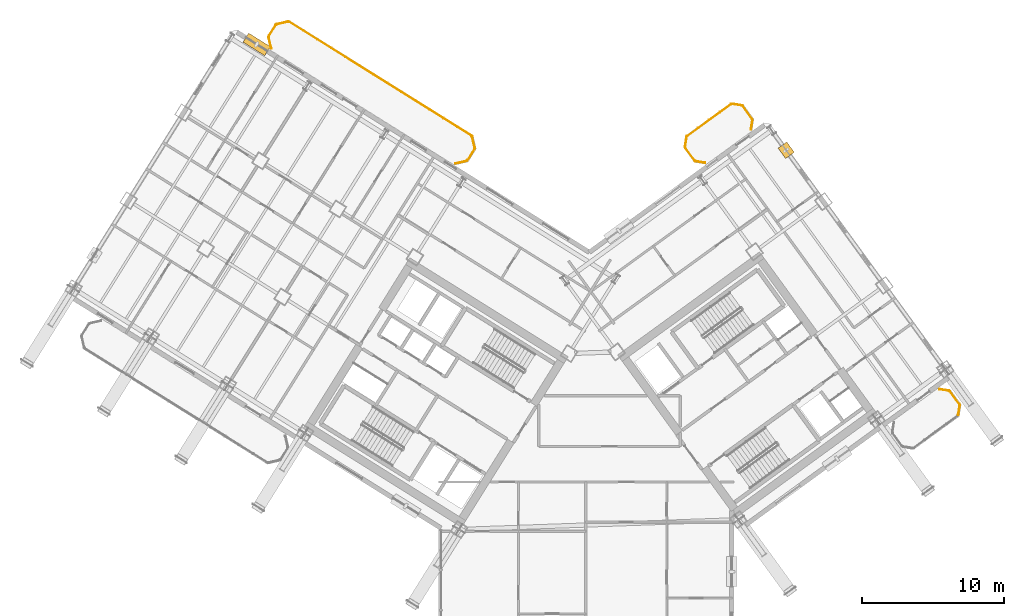
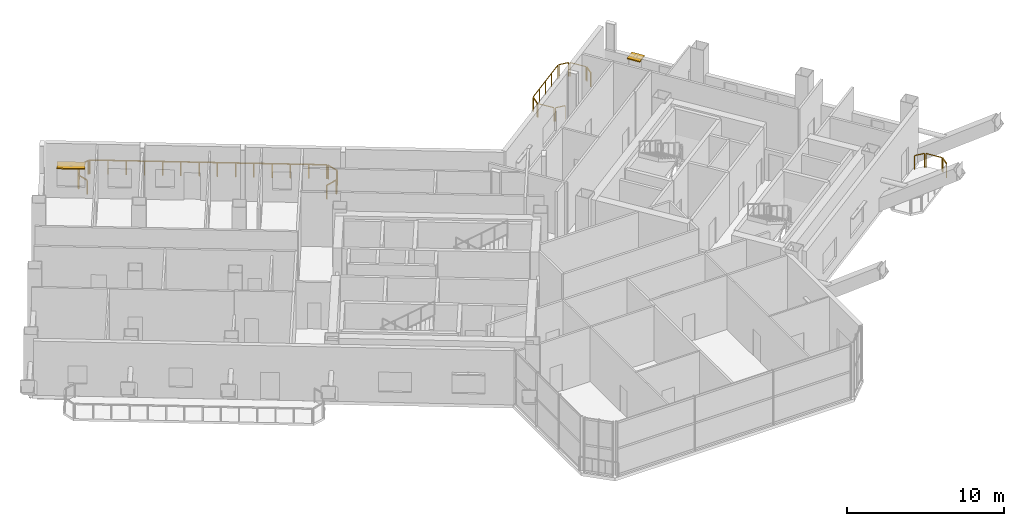
# One storey, part 32 of 32: 17 railings, 2 shading devices.
"""IFC4 building model written with IfcOpenShell, lengths in metres."""

from ifc_helpers import new_model, si_unit, direction, frame, origin, origin_2d, place, context, subcontext, project, spatial, rectangle, extrude, source, transform, mapped, material, layer, layer_set, type_object, element, save


model = new_model("IFC4")

# Units and contexts
model_context = context("Model", 3, precision=1e-05, world=origin(), true_north=direction((0.0, 1.0)))
body_context = subcontext(model_context, "Body", "Model", "MODEL_VIEW")
ifc_project = project(units=[si_unit("LENGTHUNIT", "METRE"), si_unit("AREAUNIT", "SQUARE_METRE"), si_unit("VOLUMEUNIT", "CUBIC_METRE"), si_unit("PLANEANGLEUNIT", "RADIAN"), si_unit("MASSUNIT", "GRAM", prefix="KILO")], contexts=[model_context])

# Site, building, storey
site_placement = place(None, origin())
site = spatial("IfcSite", under=ifc_project, at=site_placement, CompositionType="ELEMENT")
building_placement = place(site_placement, origin())
building = spatial("IfcBuilding", under=site, at=building_placement, Name="Tlacorven Tower", CompositionType="ELEMENT")
storey_placement = place(building_placement, frame((0.0, 0.0, 123.300048828125)))
storey = spatial("IfcBuildingStorey", under=building, at=storey_placement, Name="L31", CompositionType="ELEMENT", Elevation=123.300048828125)

# Railings
ifc_material_1 = material(Name="Aluminium and painted steel balustrade", Category="steel")
railing_type = type_object("IfcRailingType", Name="RL-BAL-1100", PredefinedType="BALUSTRADE", material=ifc_material_1)
shared_shape_1 = source(origin(), body_context, "Body", "SweptSolid", [
    extrude(rectangle(XDim=0.048095703125, YDim=0.048095703125, at=origin_2d()), frame((0.0, 0.0, 1.076171875), z_axis=(0.974345290916, 0.225058334816, 0.0), x_axis=(-0.225058334816, 0.974345290916, 0.0)), (0.0, 0.0, 1.0), 0.80712890625),
    extrude(rectangle(XDim=0.0419921875, YDim=0.0419921875, at=origin_2d()), origin(), (0.0, 0.0, 1.0), 1.052001953125),
    extrude(rectangle(XDim=0.0419921875, YDim=0.0419921875, at=origin_2d()), frame((0.786376953125, 0.181640625, 0.0)), (0.0, 0.0, 1.0), 1.052001953125),
])
railing_1_placement = place(storey_placement, frame((20.2138671875, 47.643798828125, 0.0)))
element("IfcRailing", 1, at=railing_1_placement, inside=storey, type_object=railing_type, Name="BAL-L31-W-IN Guard Railing 6", PredefinedType="BALUSTRADE", context=body_context, shape_type="MappedRepresentation", body=[
    mapped(shared_shape_1, transform((0.0, 0.0, 0.0), scale=1.0)),
])
shared_shape_2 = source(origin(), body_context, "Body", "SweptSolid", [
    extrude(rectangle(XDim=0.048095703125, YDim=0.048095703125, at=origin_2d()), frame((0.0, 0.0, 1.076171875), z_axis=(-0.987661653326, 0.156602868908, 0.0), x_axis=(-0.156602868908, -0.987661653326, 0.0)), (0.0, 0.0, 1.0), 0.665771484375),
    extrude(rectangle(XDim=0.0419921875, YDim=0.0419921875, at=origin_2d()), origin(), (0.0, 0.0, 1.0), 1.052001953125),
    extrude(rectangle(XDim=0.0419921875, YDim=0.0419921875, at=origin_2d()), frame((-0.657470703125, 0.104248046875, 0.0)), (0.0, 0.0, 1.0), 1.052001953125),
])
railing_2_placement = place(storey_placement, frame((50.359130859375, 37.891845703125, 0.0)))
element("IfcRailing", 2, at=railing_2_placement, inside=storey, type_object=railing_type, Name="BAL-L31-E-IN Guard Railing 1", PredefinedType="BALUSTRADE", context=body_context, shape_type="MappedRepresentation", body=[
    mapped(shared_shape_2, transform((0.0, 0.0, 0.0), scale=1.0)),
])
shared_shape_3 = source(origin(), body_context, "Body", "SweptSolid", [
    extrude(rectangle(XDim=0.048095703125, YDim=0.048095703125, at=origin_2d()), frame((0.0, 0.0, 1.076171875), z_axis=(0.156602868908, 0.987661653326, 0.0), x_axis=(-0.987661653326, 0.156602868908, 0.0)), (0.0, 0.0, 1.0), 0.665771484375),
    extrude(rectangle(XDim=0.0419921875, YDim=0.0419921875, at=origin_2d()), origin(), (0.0, 0.0, 1.0), 1.052001953125),
    extrude(rectangle(XDim=0.0419921875, YDim=0.0419921875, at=origin_2d()), frame((0.104248046875, 0.657470703125, 0.0)), (0.0, 0.0, 1.0), 1.052001953125),
])
railing_3_placement = place(storey_placement, frame((48.947509765625, 39.033935546875, 0.0)))
element("IfcRailing", 3, at=railing_3_placement, inside=storey, type_object=railing_type, Name="BAL-L31-E-IN Guard Railing 3", PredefinedType="BALUSTRADE", context=body_context, shape_type="MappedRepresentation", body=[
    mapped(shared_shape_3, transform((0.0, 0.0, 0.0), scale=1.0)),
])
shared_shape_4 = source(origin(), body_context, "Body", "SweptSolid", [
    extrude(rectangle(XDim=0.048095703125, YDim=0.048095703125, at=origin_2d()), frame((0.0, 0.0, 1.076171875), z_axis=(0.58788449985, -0.808944877501, 0.0), x_axis=(0.808944877501, 0.58788449985, 0.0)), (0.0, 0.0, 1.0), 1.112060546875),
    extrude(rectangle(XDim=0.0419921875, YDim=0.0419921875, at=origin_2d()), origin(), (0.0, 0.0, 1.0), 1.052001953125),
    extrude(rectangle(XDim=0.0419921875, YDim=0.0419921875, at=origin_2d()), frame((0.65380859375, -0.899658203125, 0.0)), (0.0, 0.0, 1.0), 1.052001953125),
])
railing_4_placement = place(storey_placement, frame((67.60595703125, 21.799072265625, 0.0)))
element("IfcRailing", 4, at=railing_4_placement, inside=storey, type_object=railing_type, Name="BAL-L31-E-OUT Guard Railing 5", PredefinedType="BALUSTRADE", context=body_context, shape_type="MappedRepresentation", body=[
    mapped(shared_shape_4, transform((0.0, 0.0, 0.0), scale=1.0)),
])
shared_shape_5 = source(origin(), body_context, "Body", "SweptSolid", [
    extrude(rectangle(XDim=0.048095703125, YDim=0.048095703125, at=origin_2d()), frame((0.0, 0.0, 1.076171875), z_axis=(-0.156245081039, -0.987718317463, 0.0), x_axis=(0.987718317463, -0.156245081039, 0.0)), (0.0, 0.0, 1.0), 0.66552734375),
    extrude(rectangle(XDim=0.0419921875, YDim=0.0419921875, at=origin_2d()), origin(), (0.0, 0.0, 1.0), 1.052001953125),
    extrude(rectangle(XDim=0.0419921875, YDim=0.0419921875, at=origin_2d()), frame((-0.10400390625, -0.657470703125, 0.0)), (0.0, 0.0, 1.0), 1.052001953125),
])
for number, where, name in (
    (5, (68.28125, 20.8095703125, 0.0), "BAL-L31-E-OUT Guard Railing 6"),
    (6, (53.689453125, 40.893310546875, 0.0), "BAL-L31-E-IN Guard Railing 7"),
):
    element("IfcRailing", number, at=place(storey_placement, frame(where)), inside=storey, type_object=railing_type, Name=name, PredefinedType="BALUSTRADE", context=body_context, shape_type="MappedRepresentation", body=[
        mapped(shared_shape_5, transform((0.0, 0.0, 0.0), scale=1.0)),
    ])

# Shading devices
ifc_material_2 = material(Name="Anodised bronze aluminium sunshade", Category="aluminium")
ifc_layer = layer(ifc_material_2, 0.080078125)
ifc_layer_set = layer_set([ifc_layer], Name="Anodised bronze aluminium sunshade")
shading_device_type = type_object("IfcShadingDeviceType", Name="SH-SUN-BRZ", PredefinedType="AWNING", material=ifc_layer_set)
shared_shape_6 = source(origin(), body_context, "Body", "SweptSolid", [
    extrude(rectangle(XDim=1.800048828125, YDim=0.75, at=origin_2d()), origin(), (0.0, 0.0, 1.0), 0.080078125),
])
shading_device_1_placement = place(storey_placement, frame((18.797119140625, 46.22509765625, 2.369873046875), z_axis=(0.0, 0.0, 1.0), x_axis=(0.848048220257, -0.52991906563, 0.0)))
element("IfcShadingDevice", 7, at=shading_device_1_placement, inside=storey, type_object=shading_device_type, Name="L31 Solar Brise-Soleil Sunshade L31-03.1", PredefinedType="AWNING", context=body_context, shape_type="MappedRepresentation", body=[
    mapped(shared_shape_6, transform((0.0, 0.0, 0.0), scale=1.0)),
])
shared_shape_7 = source(origin(), body_context, "Body", "SweptSolid", [
    extrude(rectangle(XDim=0.89990234375, YDim=0.75, at=origin_2d()), origin(), (0.0, 0.0, 1.0), 0.080078125),
])
shading_device_2_placement = place(storey_placement, frame((56.062744140625, 38.77587890625, 2.27001953125), z_axis=(0.0, 0.0, 1.0), x_axis=(0.587785363163, -0.809016913823, 0.0)))
element("IfcShadingDevice", 8, at=shading_device_2_placement, inside=storey, type_object=shading_device_type, Name="L31 Solar Brise-Soleil Sunshade L31-05.1", PredefinedType="AWNING", context=body_context, shape_type="MappedRepresentation", body=[
    mapped(shared_shape_7, transform((0.0, 0.0, 0.0), scale=1.0)),
])

# Railings
shared_shape_8 = source(origin(), body_context, "Body", "SweptSolid", [
    extrude(rectangle(XDim=0.048095703125, YDim=0.048095703125, at=origin_2d()), frame((0.0, 0.0, 1.076171875), z_axis=(0.529998940003, 0.847998304005, 0.0), x_axis=(-0.847998304005, 0.529998940003, 0.0)), (0.0, 0.0, 1.0), 0.912109375),
    extrude(rectangle(XDim=0.0419921875, YDim=0.0419921875, at=origin_2d()), origin(), (0.0, 0.0, 1.0), 1.052001953125),
    extrude(rectangle(XDim=0.0419921875, YDim=0.0419921875, at=origin_2d()), frame((0.4833984375, 0.7734375, 0.0)), (0.0, 0.0, 1.0), 1.052001953125),
])
railing_5_placement = place(storey_placement, frame((19.6552734375, 46.816650390625, 0.0)))
element("IfcRailing", 9, at=railing_5_placement, inside=storey, type_object=railing_type, Name="BAL-L31-W-IN Guard Railing 5", PredefinedType="BALUSTRADE", context=body_context, shape_type="MappedRepresentation", body=[
    mapped(shared_shape_8, transform((0.0, 0.0, 0.0), scale=1.0)),
])
shared_shape_9 = source(origin(), body_context, "Body", "SweptSolid", [
    extrude(rectangle(XDim=0.048095703125, YDim=0.048095703125, at=origin_2d()), frame((0.0, 0.0, 1.076171875), z_axis=(0.224992020761, -0.974360606036, 0.0), x_axis=(0.974360606036, 0.224992020761, 0.0)), (0.0, 0.0, 1.0), 0.807373046875),
    extrude(rectangle(XDim=0.0419921875, YDim=0.0419921875, at=origin_2d()), origin(), (0.0, 0.0, 1.0), 1.052001953125),
    extrude(rectangle(XDim=0.0419921875, YDim=0.0419921875, at=origin_2d()), frame((0.181640625, -0.78662109375, 0.0)), (0.0, 0.0, 1.0), 1.052001953125),
])
railing_6_placement = place(storey_placement, frame((33.965087890625, 39.72412109375, 0.0)))
element("IfcRailing", 10, at=railing_6_placement, inside=storey, type_object=railing_type, Name="BAL-L31-W-IN Guard Railing 1", PredefinedType="BALUSTRADE", context=body_context, shape_type="MappedRepresentation", body=[
    mapped(shared_shape_9, transform((0.0, 0.0, 0.0), scale=1.0)),
])
shared_shape_10 = source(origin(), body_context, "Body", "SweptSolid", [
    extrude(rectangle(XDim=0.048095703125, YDim=0.048095703125, at=origin_2d()), frame((0.0, 0.0, 1.076171875), z_axis=(-0.529998940003, -0.847998304005, 0.0), x_axis=(0.847998304005, -0.529998940003, 0.0)), (0.0, 0.0, 1.0), 0.912109375),
    extrude(rectangle(XDim=0.0419921875, YDim=0.0419921875, at=origin_2d()), origin(), (0.0, 0.0, 1.0), 1.052001953125),
    extrude(rectangle(XDim=0.0419921875, YDim=0.0419921875, at=origin_2d()), frame((-0.4833984375, -0.7734375, 0.0)), (0.0, 0.0, 1.0), 1.052001953125),
])
railing_7_placement = place(storey_placement, frame((34.131591796875, 38.846435546875, 0.0)))
element("IfcRailing", 11, at=railing_7_placement, inside=storey, type_object=railing_type, Name="BAL-L31-W-IN Guard Railing 2", PredefinedType="BALUSTRADE", context=body_context, shape_type="MappedRepresentation", body=[
    mapped(shared_shape_10, transform((0.0, 0.0, 0.0), scale=1.0)),
])
shared_shape_11 = source(origin(), body_context, "Body", "SweptSolid", [
    extrude(rectangle(XDim=0.048095703125, YDim=0.048095703125, at=origin_2d()), frame((0.0, 0.0, 1.076171875), z_axis=(-0.974360606036, -0.224992020761, 0.0), x_axis=(0.224992020761, -0.974360606036, 0.0)), (0.0, 0.0, 1.0), 0.807373046875),
    extrude(rectangle(XDim=0.0419921875, YDim=0.0419921875, at=origin_2d()), origin(), (0.0, 0.0, 1.0), 1.052001953125),
    extrude(rectangle(XDim=0.0419921875, YDim=0.0419921875, at=origin_2d()), frame((-0.78662109375, -0.181640625, 0.0)), (0.0, 0.0, 1.0), 1.052001953125),
])
railing_8_placement = place(storey_placement, frame((33.572998046875, 38.019287109375, 0.0)))
element("IfcRailing", 12, at=railing_8_placement, inside=storey, type_object=railing_type, Name="BAL-L31-W-IN Guard Railing 3", PredefinedType="BALUSTRADE", context=body_context, shape_type="MappedRepresentation", body=[
    mapped(shared_shape_11, transform((0.0, 0.0, 0.0), scale=1.0)),
])
shared_shape_12 = source(origin(), body_context, "Body", "SweptSolid", [
    extrude(rectangle(XDim=0.048095703125, YDim=0.048095703125, at=origin_2d()), frame((0.0, 0.0, 1.076171875), z_axis=(-0.22470489119, 0.974426863277, 0.0), x_axis=(-0.974426863277, -0.22470489119, 0.0)), (0.0, 0.0, 1.0), 0.807373046875),
    extrude(rectangle(XDim=0.0419921875, YDim=0.0419921875, at=origin_2d()), origin(), (0.0, 0.0, 1.0), 1.052001953125),
    extrude(rectangle(XDim=0.0419921875, YDim=0.0419921875, at=origin_2d()), frame((-0.181396484375, 0.78662109375, 0.0)), (0.0, 0.0, 1.0), 1.052001953125),
])
railing_9_placement = place(storey_placement, frame((19.821533203125, 45.93896484375, 0.0)))
element("IfcRailing", 13, at=railing_9_placement, inside=storey, type_object=railing_type, Name="BAL-L31-W-IN Guard Railing 4", PredefinedType="BALUSTRADE", context=body_context, shape_type="MappedRepresentation", body=[
    mapped(shared_shape_12, transform((0.0, 0.0, 0.0), scale=1.0)),
])
shared_shape_13 = source(origin(), body_context, "Body", "SweptSolid", [
    extrude(rectangle(XDim=0.048095703125, YDim=0.048095703125, at=origin_2d()), frame((0.0, 0.0, 1.076171875), z_axis=(0.848051830527, -0.529913287944, 0.0), x_axis=(0.529913287944, 0.848051830527, 0.0)), (0.0, 0.0, 1.0), 15.1171875),
    extrude(rectangle(XDim=0.0419921875, YDim=0.0419921875, at=origin_2d()), origin(), (0.0, 0.0, 1.0), 1.052001953125),
    extrude(rectangle(XDim=0.0419921875, YDim=0.0419921875, at=origin_2d()), frame((0.986083984375, -0.6162109375, 0.0)), (0.0, 0.0, 1.0), 1.052001953125),
    extrude(rectangle(XDim=0.0419921875, YDim=0.0419921875, at=origin_2d()), frame((1.972412109375, -1.232421875, 0.0)), (0.0, 0.0, 1.0), 1.052001953125),
    extrude(rectangle(XDim=0.0419921875, YDim=0.0419921875, at=origin_2d()), frame((2.95849609375, -1.8486328125, 0.0)), (0.0, 0.0, 1.0), 1.052001953125),
    extrude(rectangle(XDim=0.0419921875, YDim=0.0419921875, at=origin_2d()), frame((3.944580078125, -2.46484375, 0.0)), (0.0, 0.0, 1.0), 1.052001953125),
    extrude(rectangle(XDim=0.0419921875, YDim=0.0419921875, at=origin_2d()), frame((4.930908203125, -3.0810546875, 0.0)), (0.0, 0.0, 1.0), 1.052001953125),
    extrude(rectangle(XDim=0.0419921875, YDim=0.0419921875, at=origin_2d()), frame((5.9169921875, -3.697265625, 0.0)), (0.0, 0.0, 1.0), 1.052001953125),
    extrude(rectangle(XDim=0.0419921875, YDim=0.0419921875, at=origin_2d()), frame((6.903076171875, -4.3134765625, 0.0)), (0.0, 0.0, 1.0), 1.052001953125),
    extrude(rectangle(XDim=0.0419921875, YDim=0.0419921875, at=origin_2d()), frame((7.88916015625, -4.9296875, 0.0)), (0.0, 0.0, 1.0), 1.052001953125),
    extrude(rectangle(XDim=0.0419921875, YDim=0.0419921875, at=origin_2d()), frame((8.87548828125, -5.5458984375, 0.0)), (0.0, 0.0, 1.0), 1.052001953125),
    extrude(rectangle(XDim=0.0419921875, YDim=0.0419921875, at=origin_2d()), frame((9.861572265625, -6.162109375, 0.0)), (0.0, 0.0, 1.0), 1.052001953125),
    extrude(rectangle(XDim=0.0419921875, YDim=0.0419921875, at=origin_2d()), frame((10.84765625, -6.7783203125, 0.0)), (0.0, 0.0, 1.0), 1.052001953125),
    extrude(rectangle(XDim=0.0419921875, YDim=0.0419921875, at=origin_2d()), frame((11.833984375, -7.39453125, 0.0)), (0.0, 0.0, 1.0), 1.052001953125),
    extrude(rectangle(XDim=0.0419921875, YDim=0.0419921875, at=origin_2d()), frame((12.820068359375, -8.0107421875, 0.0)), (0.0, 0.0, 1.0), 1.052001953125),
])
railing_10_placement = place(storey_placement, frame((21.091552734375, 47.81005859375, 0.0)))
element("IfcRailing", 14, at=railing_10_placement, inside=storey, type_object=railing_type, Name="BAL-L31-W-IN Guard Railing 7", PredefinedType="BALUSTRADE", context=body_context, shape_type="MappedRepresentation", body=[
    mapped(shared_shape_13, transform((0.0, 0.0, 0.0), scale=1.0)),
])
shared_shape_14 = source(origin(), body_context, "Body", "SweptSolid", [
    extrude(rectangle(XDim=0.048095703125, YDim=0.048095703125, at=origin_2d()), frame((0.0, 0.0, 1.076171875), z_axis=(0.987727266442, -0.156188498702, 0.0), x_axis=(0.156188498702, 0.987727266442, 0.0)), (0.0, 0.0, 1.0), 0.665771484375),
    extrude(rectangle(XDim=0.0419921875, YDim=0.0419921875, at=origin_2d()), origin(), (0.0, 0.0, 1.0), 1.052001953125),
    extrude(rectangle(XDim=0.0419921875, YDim=0.0419921875, at=origin_2d()), frame((0.65771484375, -0.10400390625, 0.0)), (0.0, 0.0, 1.0), 1.052001953125),
])
railing_11_placement = place(storey_placement, frame((66.86962890625, 21.951416015625, 0.0)))
element("IfcRailing", 15, at=railing_11_placement, inside=storey, type_object=railing_type, Name="BAL-L31-E-OUT Guard Railing 4", PredefinedType="BALUSTRADE", context=body_context, shape_type="MappedRepresentation", body=[
    mapped(shared_shape_14, transform((0.0, 0.0, 0.0), scale=1.0)),
])
shared_shape_15 = source(origin(), body_context, "Body", "SweptSolid", [
    extrude(rectangle(XDim=0.048095703125, YDim=0.048095703125, at=origin_2d()), frame((0.0, 0.0, 1.076171875), z_axis=(-0.587636431696, 0.809125097957, 0.0), x_axis=(-0.809125097957, -0.587636431696, 0.0)), (0.0, 0.0, 1.0), 1.1123046875),
    extrude(rectangle(XDim=0.0419921875, YDim=0.0419921875, at=origin_2d()), origin(), (0.0, 0.0, 1.0), 1.052001953125),
    extrude(rectangle(XDim=0.0419921875, YDim=0.0419921875, at=origin_2d()), frame((-0.653564453125, 0.89990234375, 0.0)), (0.0, 0.0, 1.0), 1.052001953125),
])
railing_12_placement = place(storey_placement, frame((49.622802734375, 38.044189453125, 0.0)))
element("IfcRailing", 16, at=railing_12_placement, inside=storey, type_object=railing_type, Name="BAL-L31-E-IN Guard Railing 2", PredefinedType="BALUSTRADE", context=body_context, shape_type="MappedRepresentation", body=[
    mapped(shared_shape_15, transform((0.0, 0.0, 0.0), scale=1.0)),
])
shared_shape_16 = source(origin(), body_context, "Body", "SweptSolid", [
    extrude(rectangle(XDim=0.048095703125, YDim=0.048095703125, at=origin_2d()), frame((0.0, 0.0, 1.076171875), z_axis=(0.809018102573, 0.587783726986, 0.0), x_axis=(-0.587783726986, 0.809018102573, 0.0)), (0.0, 0.0, 1.0), 3.817138671875),
    extrude(rectangle(XDim=0.0419921875, YDim=0.0419921875, at=origin_2d()), origin(), (0.0, 0.0, 1.0), 1.052001953125),
    extrude(rectangle(XDim=0.0419921875, YDim=0.0419921875, at=origin_2d()), frame((0.77197265625, 0.56103515625, 0.0)), (0.0, 0.0, 1.0), 1.052001953125),
    extrude(rectangle(XDim=0.0419921875, YDim=0.0419921875, at=origin_2d()), frame((1.5439453125, 1.121826171875, 0.0)), (0.0, 0.0, 1.0), 1.052001953125),
    extrude(rectangle(XDim=0.0419921875, YDim=0.0419921875, at=origin_2d()), frame((2.316162109375, 1.6826171875, 0.0)), (0.0, 0.0, 1.0), 1.052001953125),
    extrude(rectangle(XDim=0.0419921875, YDim=0.0419921875, at=origin_2d()), frame((3.088134765625, 2.24365234375, 0.0)), (0.0, 0.0, 1.0), 1.052001953125),
])
railing_13_placement = place(storey_placement, frame((49.10009765625, 39.77001953125, 0.0)))
element("IfcRailing", 17, at=railing_13_placement, inside=storey, type_object=railing_type, Name="BAL-L31-E-IN Guard Railing 4", PredefinedType="BALUSTRADE", context=body_context, shape_type="MappedRepresentation", body=[
    mapped(shared_shape_16, transform((0.0, 0.0, 0.0), scale=1.0)),
])
shared_shape_17 = source(origin(), body_context, "Body", "SweptSolid", [
    extrude(rectangle(XDim=0.048095703125, YDim=0.048095703125, at=origin_2d()), frame((0.0, 0.0, 1.076171875), z_axis=(0.987661653326, -0.156602868908, 0.0), x_axis=(0.156602868908, 0.987661653326, 0.0)), (0.0, 0.0, 1.0), 0.665771484375),
    extrude(rectangle(XDim=0.0419921875, YDim=0.0419921875, at=origin_2d()), origin(), (0.0, 0.0, 1.0), 1.052001953125),
    extrude(rectangle(XDim=0.0419921875, YDim=0.0419921875, at=origin_2d()), frame((0.657470703125, -0.104248046875, 0.0)), (0.0, 0.0, 1.0), 1.052001953125),
])
railing_14_placement = place(storey_placement, frame((52.278076171875, 42.035400390625, 0.0)))
element("IfcRailing", 18, at=railing_14_placement, inside=storey, type_object=railing_type, Name="BAL-L31-E-IN Guard Railing 5", PredefinedType="BALUSTRADE", context=body_context, shape_type="MappedRepresentation", body=[
    mapped(shared_shape_17, transform((0.0, 0.0, 0.0), scale=1.0)),
])
shared_shape_18 = source(origin(), body_context, "Body", "SweptSolid", [
    extrude(rectangle(XDim=0.048095703125, YDim=0.048095703125, at=origin_2d()), frame((0.0, 0.0, 1.076171875), z_axis=(0.587780115446, -0.809020726488, 0.0), x_axis=(0.809020726488, 0.587780115446, 0.0)), (0.0, 0.0, 1.0), 1.1123046875),
    extrude(rectangle(XDim=0.0419921875, YDim=0.0419921875, at=origin_2d()), origin(), (0.0, 0.0, 1.0), 1.052001953125),
    extrude(rectangle(XDim=0.0419921875, YDim=0.0419921875, at=origin_2d()), frame((0.65380859375, -0.89990234375, 0.0)), (0.0, 0.0, 1.0), 1.052001953125),
])
railing_15_placement = place(storey_placement, frame((53.01416015625, 41.883056640625, 0.0)))
element("IfcRailing", 19, at=railing_15_placement, inside=storey, type_object=railing_type, Name="BAL-L31-E-IN Guard Railing 6", PredefinedType="BALUSTRADE", context=body_context, shape_type="MappedRepresentation", body=[
    mapped(shared_shape_18, transform((0.0, 0.0, 0.0), scale=1.0)),
])

save(model, "model.ifc")
